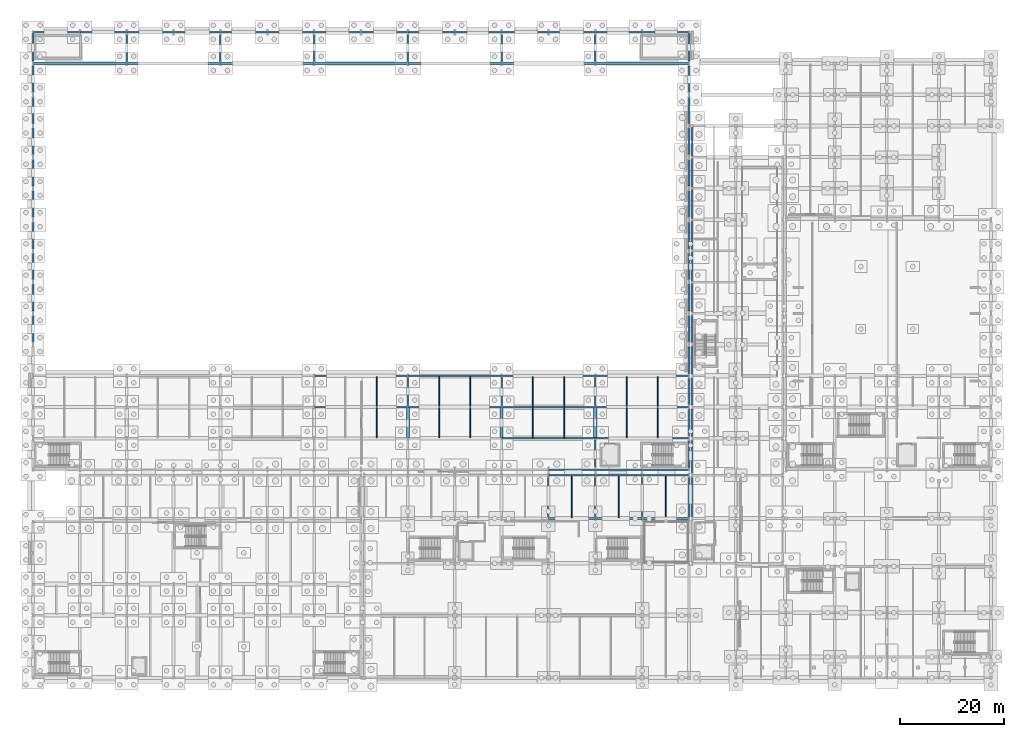
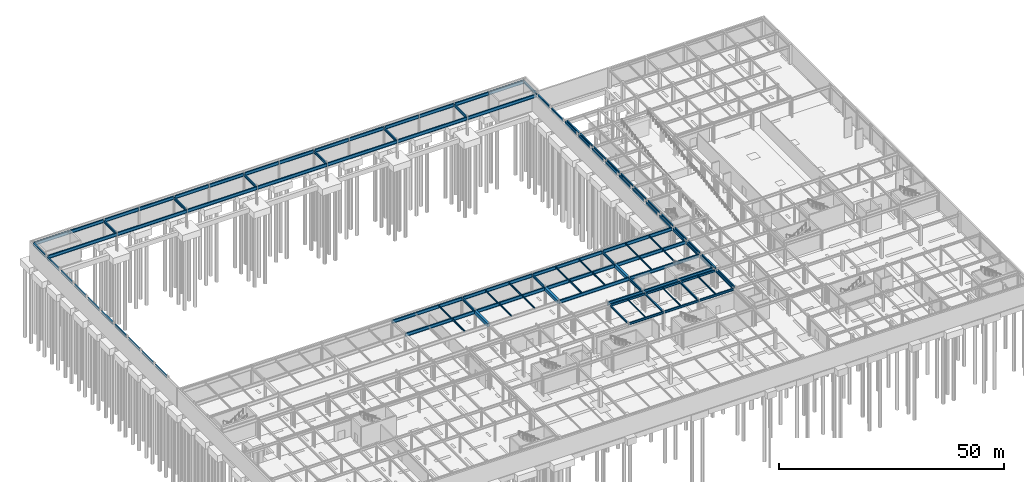
# One storey, part 36 of 65: 110 beams.
"""IFC4 building model written with IfcOpenShell, lengths in metres."""

from ifc_helpers import new_model, si_unit, direction, frame, origin, origin_2d, place, context, subcontext, project, spatial, rectangle, i_section, extrude, material, material_profile, profile_set, type_object, element, save


model = new_model("IFC4")

# Units and contexts
model_context = context("Model", 3, precision=1e-05, world=origin(), true_north=direction((0.0, 1.0)))
body_context = subcontext(model_context, "Body", "Model", "MODEL_VIEW")
ifc_project = project(units=[si_unit("LENGTHUNIT", "METRE"), si_unit("AREAUNIT", "SQUARE_METRE"), si_unit("VOLUMEUNIT", "CUBIC_METRE"), si_unit("PLANEANGLEUNIT", "RADIAN"), si_unit("MASSUNIT", "GRAM", prefix="KILO")], contexts=[model_context])

# Site, building, storey
site_placement = place(None, origin())
site = spatial("IfcSite", under=ifc_project, at=site_placement, CompositionType="ELEMENT")
building_placement = place(site_placement, origin())
building = spatial("IfcBuilding", under=site, at=building_placement, Name="Kaldris Quays Convention Centre", CompositionType="ELEMENT")
storey_placement = place(building_placement, frame((0.0, 0.0, -5.39990234375)))
storey = spatial("IfcBuildingStorey", under=building, at=storey_placement, Name="B1", CompositionType="ELEMENT", Elevation=-5.39990234375)

# Beams
ifc_material_1 = material(Name="Steel S355J2", Category="steel")
ifc_material_profile_1 = material_profile(ifc_material_1, i_section(OverallWidth=0.300048828125, OverallDepth=0.89990234375, WebThickness=0.0185546875, FlangeThickness=0.034912109375, FilletRadius=0.030029296875, at=origin_2d()), Name="HEB 900")
ifc_profile_set_1 = profile_set([ifc_material_profile_1], Name="Steel S355J2")
beam_type_1 = type_object("IfcBeamType", Name="STRUCTURAL BEAM BM02", PredefinedType="BEAM", material=ifc_profile_set_1)
beam_1_placement = place(storey_placement, frame((119.003173828125, 56.0, 4.5830078125), z_axis=(1.0, 0.0, 0.0), x_axis=(0.0, 1.0, 0.0)))
element("IfcBeam", 1, at=beam_1_placement, inside=storey, type_object=beam_type_1, Name="B1 Girder BM02 12", PredefinedType="BEAM", context=body_context, shape_type="SweptSolid", body=[
    extrude(i_section(OverallWidth=0.300048828125, OverallDepth=0.89990234375, WebThickness=0.0185546875, FlangeThickness=0.034912109375, FilletRadius=0.030029296875, at=origin_2d()), origin(), (0.0, 0.0, 1.0), 8.99365234375),
])
beam_2_placement = place(storey_placement, frame((128.00341796875, 56.0, 4.5830078125), z_axis=(1.0, 0.0, 0.0), x_axis=(0.0, 1.0, 0.0)))
element("IfcBeam", 2, at=beam_2_placement, inside=storey, type_object=beam_type_1, Name="B1 Girder BM02 13", PredefinedType="BEAM", context=body_context, shape_type="SweptSolid", body=[
    extrude(i_section(OverallWidth=0.300048828125, OverallDepth=0.89990234375, WebThickness=0.0185546875, FlangeThickness=0.034912109375, FilletRadius=0.030029296875, at=origin_2d()), origin(), (0.0, 0.0, 1.0), 8.9931640625),
])
beam_3_placement = place(storey_placement, frame((137.00341796875, 56.0, 4.5830078125), z_axis=(1.0, 0.0, 0.0), x_axis=(0.0, 1.0, 0.0)))
element("IfcBeam", 3, at=beam_3_placement, inside=storey, type_object=beam_type_1, Name="B1 Girder BM02 14", PredefinedType="BEAM", context=body_context, shape_type="SweptSolid", body=[
    extrude(i_section(OverallWidth=0.300048828125, OverallDepth=0.89990234375, WebThickness=0.0185546875, FlangeThickness=0.034912109375, FilletRadius=0.030029296875, at=origin_2d()), origin(), (0.0, 0.0, 1.0), 8.9921875),
])
beam_4_placement = place(storey_placement, frame((110.001708984375, 62.0, 4.5830078125), z_axis=(1.0, 0.0, 0.0), x_axis=(0.0, 1.0, 0.0)))
element("IfcBeam", 4, at=beam_4_placement, inside=storey, type_object=beam_type_1, Name="B1 Girder BM02 20", PredefinedType="BEAM", context=body_context, shape_type="SweptSolid", body=[
    extrude(i_section(OverallWidth=0.300048828125, OverallDepth=0.89990234375, WebThickness=0.0185546875, FlangeThickness=0.034912109375, FilletRadius=0.030029296875, at=origin_2d()), origin(), (0.0, 0.0, 1.0), 17.99658203125),
])
beam_5_placement = place(storey_placement, frame((128.001708984375, 62.0, 4.5830078125), z_axis=(1.0, 0.0, 0.0), x_axis=(0.0, 1.0, 0.0)))
element("IfcBeam", 5, at=beam_5_placement, inside=storey, type_object=beam_type_1, Name="B1 Girder BM02 21", PredefinedType="BEAM", context=body_context, shape_type="SweptSolid", body=[
    extrude(i_section(OverallWidth=0.300048828125, OverallDepth=0.89990234375, WebThickness=0.0185546875, FlangeThickness=0.034912109375, FilletRadius=0.030029296875, at=origin_2d()), origin(), (0.0, 0.0, 1.0), 17.994873046875),
])
for number, where, z_axis, x_axis, name in (
    (6, (74.001708984375, 68.0, 4.5830078125), (1.0, 0.0, 0.0), (0.0, 1.0, 0.0), "B1 Girder BM02 25"),
    (7, (92.001708984375, 68.0, 4.5830078125), (1.0, 0.0, 0.0), (0.0, 1.0, 0.0), "B1 Girder BM02 26"),
    (8, (110.001708984375, 68.0, 4.5830078125), (1.0, 0.0, 0.0), (0.0, 1.0, 0.0), "B1 Girder BM02 27"),
):
    element("IfcBeam", number, at=place(storey_placement, frame(where, z_axis=z_axis, x_axis=x_axis)), inside=storey, type_object=beam_type_1, Name=name, PredefinedType="BEAM", context=body_context, shape_type="SweptSolid", body=[
        extrude(i_section(OverallWidth=0.300048828125, OverallDepth=0.89990234375, WebThickness=0.0185546875, FlangeThickness=0.034912109375, FilletRadius=0.030029296875, at=origin_2d()), origin(), (0.0, 0.0, 1.0), 17.99658203125),
    ])
beam_6_placement = place(storey_placement, frame((128.001708984375, 68.0, 4.5830078125), z_axis=(1.0, 0.0, 0.0), x_axis=(0.0, 1.0, 0.0)))
element("IfcBeam", 9, at=beam_6_placement, inside=storey, type_object=beam_type_1, Name="B1 Girder BM02 28", PredefinedType="BEAM", context=body_context, shape_type="SweptSolid", body=[
    extrude(i_section(OverallWidth=0.300048828125, OverallDepth=0.89990234375, WebThickness=0.0185546875, FlangeThickness=0.034912109375, FilletRadius=0.030029296875, at=origin_2d()), origin(), (0.0, 0.0, 1.0), 17.994873046875),
])
for number, where, z_axis, x_axis, name in (
    (10, (74.001708984375, 74.0, 4.5078125), (1.0, 0.0, 0.0), (0.0, 1.0, 0.0), "B1 Girder BM02 32"),
    (11, (92.001708984375, 74.0, 4.5078125), (1.0, 0.0, 0.0), (0.0, 1.0, 0.0), "B1 Girder BM02 33"),
    (12, (110.001708984375, 74.0, 4.5078125), (1.0, 0.0, 0.0), (0.0, 1.0, 0.0), "B1 Girder BM02 34"),
):
    element("IfcBeam", number, at=place(storey_placement, frame(where, z_axis=z_axis, x_axis=x_axis)), inside=storey, type_object=beam_type_1, Name=name, PredefinedType="BEAM", context=body_context, shape_type="SweptSolid", body=[
        extrude(i_section(OverallWidth=0.300048828125, OverallDepth=0.89990234375, WebThickness=0.0185546875, FlangeThickness=0.034912109375, FilletRadius=0.030029296875, at=origin_2d()), origin(), (0.0, 0.0, 1.0), 17.99658203125),
    ])
for number, where, z_axis, x_axis, name in (
    (13, (128.001708984375, 74.0, 4.5830078125), (1.0, 0.0, 0.0), (0.0, 1.0, 0.0), "B1 Girder BM02 35"),
    (14, (20.00341796875, 134.0, 4.5078125), (1.0, 0.0, 0.0), (0.0, 1.0, 0.0), "B1 Girder BM02 36"),
):
    element("IfcBeam", number, at=place(storey_placement, frame(where, z_axis=z_axis, x_axis=x_axis)), inside=storey, type_object=beam_type_1, Name=name, PredefinedType="BEAM", context=body_context, shape_type="SweptSolid", body=[
        extrude(i_section(OverallWidth=0.300048828125, OverallDepth=0.89990234375, WebThickness=0.0185546875, FlangeThickness=0.034912109375, FilletRadius=0.030029296875, at=origin_2d()), origin(), (0.0, 0.0, 1.0), 17.994873046875),
    ])
for number, where, z_axis, x_axis, name in (
    (15, (38.001708984375, 134.0, 4.5078125), (1.0, 0.0, 0.0), (0.0, 1.0, 0.0), "B1 Girder BM02 37"),
    (16, (56.001708984375, 134.0, 4.5078125), (1.0, 0.0, 0.0), (0.0, 1.0, 0.0), "B1 Girder BM02 38"),
    (17, (74.001708984375, 134.0, 4.5078125), (1.0, 0.0, 0.0), (0.0, 1.0, 0.0), "B1 Girder BM02 39"),
    (18, (92.001708984375, 134.0, 4.5078125), (1.0, 0.0, 0.0), (0.0, 1.0, 0.0), "B1 Girder BM02 40"),
    (19, (110.001708984375, 134.0, 4.5078125), (1.0, 0.0, 0.0), (0.0, 1.0, 0.0), "B1 Girder BM02 41"),
):
    element("IfcBeam", number, at=place(storey_placement, frame(where, z_axis=z_axis, x_axis=x_axis)), inside=storey, type_object=beam_type_1, Name=name, PredefinedType="BEAM", context=body_context, shape_type="SweptSolid", body=[
        extrude(i_section(OverallWidth=0.300048828125, OverallDepth=0.89990234375, WebThickness=0.0185546875, FlangeThickness=0.034912109375, FilletRadius=0.030029296875, at=origin_2d()), origin(), (0.0, 0.0, 1.0), 17.99658203125),
    ])
beam_7_placement = place(storey_placement, frame((128.001708984375, 134.0, 4.5078125), z_axis=(1.0, 0.0, 0.0), x_axis=(0.0, 1.0, 0.0)))
element("IfcBeam", 20, at=beam_7_placement, inside=storey, type_object=beam_type_1, Name="B1 Girder BM02 42", PredefinedType="BEAM", context=body_context, shape_type="SweptSolid", body=[
    extrude(i_section(OverallWidth=0.300048828125, OverallDepth=0.89990234375, WebThickness=0.0185546875, FlangeThickness=0.034912109375, FilletRadius=0.030029296875, at=origin_2d()), origin(), (0.0, 0.0, 1.0), 17.994873046875),
])
beam_8_placement = place(storey_placement, frame((20.00439453125, 140.0, 4.5078125), z_axis=(1.0, 0.0, 0.0), x_axis=(0.0, 1.0, 0.0)))
element("IfcBeam", 21, at=beam_8_placement, inside=storey, type_object=beam_type_1, Name="B1 Girder BM02 43", PredefinedType="BEAM", context=body_context, shape_type="SweptSolid", body=[
    extrude(i_section(OverallWidth=0.300048828125, OverallDepth=0.89990234375, WebThickness=0.0185546875, FlangeThickness=0.034912109375, FilletRadius=0.030029296875, at=origin_2d()), origin(), (0.0, 0.0, 1.0), 8.9921875),
])
for number, where, z_axis, x_axis, name in (
    (22, (29.00341796875, 140.0, 4.5078125), (1.0, 0.0, 0.0), (0.0, 1.0, 0.0), "B1 Girder BM02 44"),
    (23, (38.00341796875, 140.0, 4.5078125), (1.0, 0.0, 0.0), (0.0, 1.0, 0.0), "B1 Girder BM02 45"),
    (24, (47.00341796875, 140.0, 4.5078125), (1.0, 0.0, 0.0), (0.0, 1.0, 0.0), "B1 Girder BM02 46"),
):
    element("IfcBeam", number, at=place(storey_placement, frame(where, z_axis=z_axis, x_axis=x_axis)), inside=storey, type_object=beam_type_1, Name=name, PredefinedType="BEAM", context=body_context, shape_type="SweptSolid", body=[
        extrude(i_section(OverallWidth=0.300048828125, OverallDepth=0.89990234375, WebThickness=0.0185546875, FlangeThickness=0.034912109375, FilletRadius=0.030029296875, at=origin_2d()), origin(), (0.0, 0.0, 1.0), 8.9931640625),
    ])
beam_9_placement = place(storey_placement, frame((56.00341796875, 140.0, 4.5078125), z_axis=(1.0, 0.0, 0.0), x_axis=(0.0, 1.0, 0.0)))
element("IfcBeam", 25, at=beam_9_placement, inside=storey, type_object=beam_type_1, Name="B1 Girder BM02 47", PredefinedType="BEAM", context=body_context, shape_type="SweptSolid", body=[
    extrude(i_section(OverallWidth=0.300048828125, OverallDepth=0.89990234375, WebThickness=0.0185546875, FlangeThickness=0.034912109375, FilletRadius=0.030029296875, at=origin_2d()), origin(), (0.0, 0.0, 1.0), 8.993408203125),
])
for number, where, z_axis, x_axis, name in (
    (26, (65.003173828125, 140.0, 4.5078125), (1.0, 0.0, 0.0), (0.0, 1.0, 0.0), "B1 Girder BM02 48"),
    (27, (74.003173828125, 140.0, 4.5078125), (1.0, 0.0, 0.0), (0.0, 1.0, 0.0), "B1 Girder BM02 49"),
    (28, (83.003173828125, 140.0, 4.5078125), (1.0, 0.0, 0.0), (0.0, 1.0, 0.0), "B1 Girder BM02 50"),
    (29, (92.003173828125, 140.0, 4.5078125), (1.0, 0.0, 0.0), (0.0, 1.0, 0.0), "B1 Girder BM02 51"),
    (30, (101.003173828125, 140.0, 4.5078125), (1.0, 0.0, 0.0), (0.0, 1.0, 0.0), "B1 Girder BM02 52"),
    (31, (110.003173828125, 140.0, 4.5078125), (1.0, 0.0, 0.0), (0.0, 1.0, 0.0), "B1 Girder BM02 53"),
    (32, (119.003173828125, 140.0, 4.5078125), (1.0, 0.0, 0.0), (0.0, 1.0, 0.0), "B1 Girder BM02 54"),
):
    element("IfcBeam", number, at=place(storey_placement, frame(where, z_axis=z_axis, x_axis=x_axis)), inside=storey, type_object=beam_type_1, Name=name, PredefinedType="BEAM", context=body_context, shape_type="SweptSolid", body=[
        extrude(i_section(OverallWidth=0.300048828125, OverallDepth=0.89990234375, WebThickness=0.0185546875, FlangeThickness=0.034912109375, FilletRadius=0.030029296875, at=origin_2d()), origin(), (0.0, 0.0, 1.0), 8.99365234375),
    ])
beam_10_placement = place(storey_placement, frame((128.00341796875, 140.0, 4.5078125), z_axis=(1.0, 0.0, 0.0), x_axis=(0.0, 1.0, 0.0)))
element("IfcBeam", 33, at=beam_10_placement, inside=storey, type_object=beam_type_1, Name="B1 Girder BM02 55", PredefinedType="BEAM", context=body_context, shape_type="SweptSolid", body=[
    extrude(i_section(OverallWidth=0.300048828125, OverallDepth=0.89990234375, WebThickness=0.0185546875, FlangeThickness=0.034912109375, FilletRadius=0.030029296875, at=origin_2d()), origin(), (0.0, 0.0, 1.0), 8.9931640625),
])
beam_11_placement = place(storey_placement, frame((137.00341796875, 140.0, 4.5078125), z_axis=(1.0, 0.0, 0.0), x_axis=(0.0, 1.0, 0.0)))
element("IfcBeam", 34, at=beam_11_placement, inside=storey, type_object=beam_type_1, Name="B1 Girder BM02 56", PredefinedType="BEAM", context=body_context, shape_type="SweptSolid", body=[
    extrude(i_section(OverallWidth=0.300048828125, OverallDepth=0.89990234375, WebThickness=0.0185546875, FlangeThickness=0.034912109375, FilletRadius=0.030029296875, at=origin_2d()), origin(), (0.0, 0.0, 1.0), 8.9921875),
])
ifc_material_profile_2 = material_profile(ifc_material_1, i_section(OverallWidth=0.300048828125, OverallDepth=0.699951171875, WebThickness=0.01708984375, FlangeThickness=0.031982421875, FilletRadius=0.027099609375, at=origin_2d()), Name="HEB 700")
ifc_profile_set_2 = profile_set([ifc_material_profile_2], Name="Steel S355J2")
beam_type_2 = type_object("IfcBeamType", Name="STRUCTURAL BEAM BM04", PredefinedType="BEAM", material=ifc_profile_set_2)
for number, where, z_axis, x_axis, name in (
    (35, (20.0, 80.444091796875, 4.60791015625), (0.0, 1.0, 0.0), (-1.0, 0.0, 0.0), "B1 Girder BM04 61"),
    (36, (20.0, 86.444091796875, 4.60791015625), (0.0, 1.0, 0.0), (-1.0, 0.0, 0.0), "B1 Girder BM04 62"),
    (37, (20.0, 92.444091796875, 4.60791015625), (0.0, 1.0, 0.0), (-1.0, 0.0, 0.0), "B1 Girder BM04 63"),
    (38, (20.0, 98.444091796875, 4.60791015625), (0.0, 1.0, 0.0), (-1.0, 0.0, 0.0), "B1 Girder BM04 64"),
    (39, (20.0, 104.444091796875, 4.60791015625), (0.0, 1.0, 0.0), (-1.0, 0.0, 0.0), "B1 Girder BM04 65"),
    (40, (20.0, 110.444091796875, 4.60791015625), (0.0, 1.0, 0.0), (-1.0, 0.0, 0.0), "B1 Girder BM04 66"),
    (41, (20.0, 116.444091796875, 4.60791015625), (0.0, 1.0, 0.0), (-1.0, 0.0, 0.0), "B1 Girder BM04 67"),
    (42, (20.0, 122.444091796875, 4.60791015625), (0.0, 1.0, 0.0), (-1.0, 0.0, 0.0), "B1 Girder BM04 68"),
    (43, (20.0, 128.444091796875, 4.60791015625), (0.0, 1.0, 0.0), (-1.0, 0.0, 0.0), "B1 Girder BM04 69"),
):
    element("IfcBeam", number, at=place(storey_placement, frame(where, z_axis=z_axis, x_axis=x_axis)), inside=storey, type_object=beam_type_2, Name=name, PredefinedType="BEAM", context=body_context, shape_type="SweptSolid", body=[
        extrude(i_section(OverallWidth=0.300048828125, OverallDepth=0.699951171875, WebThickness=0.01708984375, FlangeThickness=0.031982421875, FilletRadius=0.027099609375, at=origin_2d()), origin(), (0.0, 0.0, 1.0), 5.11181640625),
    ])
beam_12_placement = place(storey_placement, frame((20.0, 134.444091796875, 4.60791015625), z_axis=(0.0, 1.0, 0.0), x_axis=(-1.0, 0.0, 0.0)))
element("IfcBeam", 44, at=beam_12_placement, inside=storey, type_object=beam_type_2, Name="B1 Girder BM04 70", PredefinedType="BEAM", context=body_context, shape_type="SweptSolid", body=[
    extrude(i_section(OverallWidth=0.300048828125, OverallDepth=0.699951171875, WebThickness=0.01708984375, FlangeThickness=0.031982421875, FilletRadius=0.027099609375, at=origin_2d()), origin(), (0.0, 0.0, 1.0), 5.345947265625),
])
for number, where, z_axis, x_axis, name in (
    (45, (38.0, 134.2939453125, 4.60791015625), (0.0, 1.0, 0.0), (-1.0, 0.0, 0.0), "B1 Girder BM04 73"),
    (46, (56.0, 134.2939453125, 4.60791015625), (0.0, 1.0, 0.0), (-1.0, 0.0, 0.0), "B1 Girder BM04 76"),
    (47, (74.0, 134.2939453125, 4.60791015625), (0.0, 1.0, 0.0), (-1.0, 0.0, 0.0), "B1 Girder BM04 79"),
):
    element("IfcBeam", number, at=place(storey_placement, frame(where, z_axis=z_axis, x_axis=x_axis)), inside=storey, type_object=beam_type_2, Name=name, PredefinedType="BEAM", context=body_context, shape_type="SweptSolid", body=[
        extrude(i_section(OverallWidth=0.300048828125, OverallDepth=0.699951171875, WebThickness=0.01708984375, FlangeThickness=0.031982421875, FilletRadius=0.027099609375, at=origin_2d()), origin(), (0.0, 0.0, 1.0), 5.261962890625),
    ])
beam_13_placement = place(storey_placement, frame((92.0, 68.2939453125, 4.682861328125), z_axis=(0.0, 1.0, 0.0), x_axis=(-1.0, 0.0, 0.0)))
element("IfcBeam", 48, at=beam_13_placement, inside=storey, type_object=beam_type_2, Name="B1 Girder BM04 81", PredefinedType="BEAM", context=body_context, shape_type="SweptSolid", body=[
    extrude(i_section(OverallWidth=0.300048828125, OverallDepth=0.699951171875, WebThickness=0.01708984375, FlangeThickness=0.031982421875, FilletRadius=0.027099609375, at=origin_2d()), origin(), (0.0, 0.0, 1.0), 5.412109375),
])
beam_14_placement = place(storey_placement, frame((92.0, 134.2939453125, 4.60791015625), z_axis=(0.0, 1.0, 0.0), x_axis=(-1.0, 0.0, 0.0)))
element("IfcBeam", 49, at=beam_14_placement, inside=storey, type_object=beam_type_2, Name="B1 Girder BM04 82", PredefinedType="BEAM", context=body_context, shape_type="SweptSolid", body=[
    extrude(i_section(OverallWidth=0.300048828125, OverallDepth=0.699951171875, WebThickness=0.01708984375, FlangeThickness=0.031982421875, FilletRadius=0.027099609375, at=origin_2d()), origin(), (0.0, 0.0, 1.0), 5.261962890625),
])
beam_15_placement = place(storey_placement, frame((110.0, 68.2939453125, 4.682861328125), z_axis=(0.0, 1.0, 0.0), x_axis=(-1.0, 0.0, 0.0)))
element("IfcBeam", 50, at=beam_15_placement, inside=storey, type_object=beam_type_2, Name="B1 Girder BM04 84", PredefinedType="BEAM", context=body_context, shape_type="SweptSolid", body=[
    extrude(i_section(OverallWidth=0.300048828125, OverallDepth=0.699951171875, WebThickness=0.01708984375, FlangeThickness=0.031982421875, FilletRadius=0.027099609375, at=origin_2d()), origin(), (0.0, 0.0, 1.0), 5.412109375),
])
for number, where, z_axis, x_axis, name in (
    (51, (110.0, 134.2939453125, 4.60791015625), (0.0, 1.0, 0.0), (-1.0, 0.0, 0.0), "B1 Girder BM04 85"),
    (52, (128.0, 56.444091796875, 4.682861328125), (0.0, 1.0, 0.0), (-1.0, 0.0, 0.0), "B1 Girder BM04 86"),
):
    element("IfcBeam", number, at=place(storey_placement, frame(where, z_axis=z_axis, x_axis=x_axis)), inside=storey, type_object=beam_type_2, Name=name, PredefinedType="BEAM", context=body_context, shape_type="SweptSolid", body=[
        extrude(i_section(OverallWidth=0.300048828125, OverallDepth=0.699951171875, WebThickness=0.01708984375, FlangeThickness=0.031982421875, FilletRadius=0.027099609375, at=origin_2d()), origin(), (0.0, 0.0, 1.0), 5.261962890625),
    ])
beam_16_placement = place(storey_placement, frame((128.0, 68.2939453125, 4.682861328125), z_axis=(0.0, 1.0, 0.0), x_axis=(-1.0, 0.0, 0.0)))
element("IfcBeam", 53, at=beam_16_placement, inside=storey, type_object=beam_type_2, Name="B1 Girder BM04 87", PredefinedType="BEAM", context=body_context, shape_type="SweptSolid", body=[
    extrude(i_section(OverallWidth=0.300048828125, OverallDepth=0.699951171875, WebThickness=0.01708984375, FlangeThickness=0.031982421875, FilletRadius=0.027099609375, at=origin_2d()), origin(), (0.0, 0.0, 1.0), 5.412109375),
])
beam_17_placement = place(storey_placement, frame((128.0, 134.2939453125, 4.60791015625), z_axis=(0.0, 1.0, 0.0), x_axis=(-1.0, 0.0, 0.0)))
element("IfcBeam", 54, at=beam_17_placement, inside=storey, type_object=beam_type_2, Name="B1 Girder BM04 88", PredefinedType="BEAM", context=body_context, shape_type="SweptSolid", body=[
    extrude(i_section(OverallWidth=0.300048828125, OverallDepth=0.699951171875, WebThickness=0.01708984375, FlangeThickness=0.031982421875, FilletRadius=0.027099609375, at=origin_2d()), origin(), (0.0, 0.0, 1.0), 5.261962890625),
])
beam_18_placement = place(storey_placement, frame((146.0, 56.2099609375, 4.682861328125), z_axis=(0.0, 1.0, 0.0), x_axis=(-1.0, 0.0, 0.0)))
element("IfcBeam", 55, at=beam_18_placement, inside=storey, type_object=beam_type_2, Name="B1 Girder BM04 89", PredefinedType="BEAM", context=body_context, shape_type="SweptSolid", body=[
    extrude(i_section(OverallWidth=0.300048828125, OverallDepth=0.699951171875, WebThickness=0.01708984375, FlangeThickness=0.031982421875, FilletRadius=0.027099609375, at=origin_2d()), origin(), (0.0, 0.0, 1.0), 5.345947265625),
])
for number, where, z_axis, x_axis, name in (
    (56, (146.0, 62.444091796875, 4.682861328125), (0.0, 1.0, 0.0), (-1.0, 0.0, 0.0), "B1 Girder BM04 90"),
    (57, (146.0, 68.444091796875, 4.682861328125), (0.0, 1.0, 0.0), (-1.0, 0.0, 0.0), "B1 Girder BM04 91"),
    (58, (146.0, 74.444091796875, 4.60791015625), (0.0, 1.0, 0.0), (-1.0, 0.0, 0.0), "B1 Girder BM04 92"),
    (59, (146.0, 80.444091796875, 4.60791015625), (0.0, 1.0, 0.0), (-1.0, 0.0, 0.0), "B1 Girder BM04 93"),
    (60, (146.0, 86.444091796875, 4.60791015625), (0.0, 1.0, 0.0), (-1.0, 0.0, 0.0), "B1 Girder BM04 94"),
    (61, (146.0, 92.444091796875, 4.60791015625), (0.0, 1.0, 0.0), (-1.0, 0.0, 0.0), "B1 Girder BM04 95"),
    (62, (146.0, 98.444091796875, 4.60791015625), (0.0, 1.0, 0.0), (-1.0, 0.0, 0.0), "B1 Girder BM04 96"),
    (63, (146.0, 104.444091796875, 4.60791015625), (0.0, 1.0, 0.0), (-1.0, 0.0, 0.0), "B1 Girder BM04 97"),
    (64, (146.0, 110.444091796875, 4.60791015625), (0.0, 1.0, 0.0), (-1.0, 0.0, 0.0), "B1 Girder BM04 98"),
    (65, (146.0, 116.444091796875, 4.60791015625), (0.0, 1.0, 0.0), (-1.0, 0.0, 0.0), "B1 Girder BM04 99"),
    (66, (146.0, 122.444091796875, 4.60791015625), (0.0, 1.0, 0.0), (-1.0, 0.0, 0.0), "B1 Girder BM04 100"),
    (67, (146.0, 128.444091796875, 4.60791015625), (0.0, 1.0, 0.0), (-1.0, 0.0, 0.0), "B1 Girder BM04 101"),
):
    element("IfcBeam", number, at=place(storey_placement, frame(where, z_axis=z_axis, x_axis=x_axis)), inside=storey, type_object=beam_type_2, Name=name, PredefinedType="BEAM", context=body_context, shape_type="SweptSolid", body=[
        extrude(i_section(OverallWidth=0.300048828125, OverallDepth=0.699951171875, WebThickness=0.01708984375, FlangeThickness=0.031982421875, FilletRadius=0.027099609375, at=origin_2d()), origin(), (0.0, 0.0, 1.0), 5.11181640625),
    ])
beam_19_placement = place(storey_placement, frame((146.0, 134.444091796875, 4.60791015625), z_axis=(0.0, 1.0, 0.0), x_axis=(-1.0, 0.0, 0.0)))
element("IfcBeam", 68, at=beam_19_placement, inside=storey, type_object=beam_type_2, Name="B1 Girder BM04 102", PredefinedType="BEAM", context=body_context, shape_type="SweptSolid", body=[
    extrude(i_section(OverallWidth=0.300048828125, OverallDepth=0.699951171875, WebThickness=0.01708984375, FlangeThickness=0.031982421875, FilletRadius=0.027099609375, at=origin_2d()), origin(), (0.0, 0.0, 1.0), 5.345947265625),
])
ifc_material_profile_3 = material_profile(ifc_material_1, i_section(OverallWidth=0.300048828125, OverallDepth=0.60009765625, WebThickness=0.015380859375, FlangeThickness=0.030029296875, FilletRadius=0.027099609375, at=origin_2d()), Name="HEB 600")
ifc_profile_set_3 = profile_set([ifc_material_profile_3], Name="Steel S355J2")
beam_type_3 = type_object("IfcBeamType", Name="STRUCTURAL BEAM BM05", PredefinedType="BEAM", material=ifc_profile_set_3)
for number, where, z_axis, x_axis, name in (
    (69, (119.00244140625, 46.60009765625, 4.802978515625), (1.0, 0.0, 0.0), (0.0, 1.0, 0.0), "B1 Girder BM05 28"),
    (70, (128.00244140625, 46.60009765625, 4.802978515625), (1.0, 0.0, 0.0), (0.0, 1.0, 0.0), "B1 Girder BM05 29"),
    (71, (137.00244140625, 46.60009765625, 4.802978515625), (1.0, 0.0, 0.0), (0.0, 1.0, 0.0), "B1 Girder BM05 30"),
    (72, (119.00244140625, 54.89990234375, 4.802978515625), (1.0, 0.0, 0.0), (0.0, 1.0, 0.0), "B1 Girder BM05 47"),
    (73, (128.00244140625, 54.89990234375, 4.802978515625), (1.0, 0.0, 0.0), (0.0, 1.0, 0.0), "B1 Girder BM05 48"),
    (74, (137.00244140625, 54.89990234375, 4.802978515625), (1.0, 0.0, 0.0), (0.0, 1.0, 0.0), "B1 Girder BM05 49"),
):
    element("IfcBeam", number, at=place(storey_placement, frame(where, z_axis=z_axis, x_axis=x_axis)), inside=storey, type_object=beam_type_3, Name=name, PredefinedType="BEAM", context=body_context, shape_type="SweptSolid", body=[
        extrude(i_section(OverallWidth=0.300048828125, OverallDepth=0.60009765625, WebThickness=0.015380859375, FlangeThickness=0.030029296875, FilletRadius=0.027099609375, at=origin_2d()), origin(), (0.0, 0.0, 1.0), 8.9951171875),
    ])
ifc_material_profile_4 = material_profile(ifc_material_1, i_section(OverallWidth=0.300048828125, OverallDepth=0.449951171875, WebThickness=0.013916015625, FlangeThickness=0.02587890625, FilletRadius=0.027099609375, at=origin_2d()), Name="HEB 450")
ifc_profile_set_4 = profile_set([ifc_material_profile_4], Name="Steel S355J2")
beam_type_4 = type_object("IfcBeamType", Name="STRUCTURAL BEAM BM07", PredefinedType="BEAM", material=ifc_profile_set_4)
for number, where, z_axis, x_axis, name in (
    (75, (119.0, 46.944091796875, 4.8779296875), (0.0, 1.0, 0.0), (-1.0, 0.0, 0.0), "B1 Girder BM07 105"),
    (76, (128.0, 46.944091796875, 4.8779296875), (0.0, 1.0, 0.0), (-1.0, 0.0, 0.0), "B1 Girder BM07 106"),
    (77, (137.0, 46.944091796875, 4.8779296875), (0.0, 1.0, 0.0), (-1.0, 0.0, 0.0), "B1 Girder BM07 109"),
    (78, (146.0, 46.944091796875, 4.8779296875), (0.0, 1.0, 0.0), (-1.0, 0.0, 0.0), "B1 Girder BM07 113"),
    (79, (146.60009765625, 46.944091796875, 4.8779296875), (0.0, 1.0, 0.0), (-1.0, 0.0, 0.0), "B1 Girder BM07 115"),
):
    element("IfcBeam", number, at=place(storey_placement, frame(where, z_axis=z_axis, x_axis=x_axis)), inside=storey, type_object=beam_type_4, Name=name, PredefinedType="BEAM", context=body_context, shape_type="SweptSolid", body=[
        extrude(i_section(OverallWidth=0.300048828125, OverallDepth=0.449951171875, WebThickness=0.013916015625, FlangeThickness=0.02587890625, FilletRadius=0.027099609375, at=origin_2d()), origin(), (0.0, 0.0, 1.0), 7.61181640625),
    ])
beam_20_placement = place(storey_placement, frame((146.60009765625, 55.243896484375, 4.807861328125), z_axis=(0.0, 1.0, 0.0), x_axis=(-1.0, 0.0, 0.0)))
element("IfcBeam", 80, at=beam_20_placement, inside=storey, type_object=beam_type_4, Name="B1 Girder BM07 116", PredefinedType="BEAM", context=body_context, shape_type="SweptSolid", body=[
    extrude(i_section(OverallWidth=0.300048828125, OverallDepth=0.449951171875, WebThickness=0.013916015625, FlangeThickness=0.02587890625, FilletRadius=0.027099609375, at=origin_2d()), origin(), (0.0, 0.0, 1.0), 6.412109375),
])
for number, where, z_axis, x_axis, name in (
    (81, (146.60009765625, 62.343994140625, 4.807861328125), (0.0, 1.0, 0.0), (-1.0, 0.0, 0.0), "B1 Girder BM07 117"),
    (82, (146.60009765625, 68.343994140625, 4.807861328125), (0.0, 1.0, 0.0), (-1.0, 0.0, 0.0), "B1 Girder BM07 118"),
    (83, (146.60009765625, 74.343994140625, 4.807861328125), (0.0, 1.0, 0.0), (-1.0, 0.0, 0.0), "B1 Girder BM07 119"),
    (84, (146.60009765625, 80.343994140625, 4.8779296875), (0.0, 1.0, 0.0), (-1.0, 0.0, 0.0), "B1 Girder BM07 120"),
):
    element("IfcBeam", number, at=place(storey_placement, frame(where, z_axis=z_axis, x_axis=x_axis)), inside=storey, type_object=beam_type_4, Name=name, PredefinedType="BEAM", context=body_context, shape_type="SweptSolid", body=[
        extrude(i_section(OverallWidth=0.300048828125, OverallDepth=0.449951171875, WebThickness=0.013916015625, FlangeThickness=0.02587890625, FilletRadius=0.027099609375, at=origin_2d()), origin(), (0.0, 0.0, 1.0), 5.31201171875),
    ])
beam_21_placement = place(storey_placement, frame((146.60009765625, 86.343994140625, 4.8779296875), z_axis=(0.0, 1.0, 0.0), x_axis=(-1.0, 0.0, 0.0)))
element("IfcBeam", 85, at=beam_21_placement, inside=storey, type_object=beam_type_4, Name="B1 Girder BM07 121", PredefinedType="BEAM", context=body_context, shape_type="SweptSolid", body=[
    extrude(i_section(OverallWidth=0.300048828125, OverallDepth=0.449951171875, WebThickness=0.013916015625, FlangeThickness=0.02587890625, FilletRadius=0.027099609375, at=origin_2d()), origin(), (0.0, 0.0, 1.0), 5.4619140625),
])
for number, where, z_axis, x_axis, name in (
    (86, (146.60009765625, 92.194091796875, 4.8779296875), (0.0, 1.0, 0.0), (-1.0, 0.0, 0.0), "B1 Girder BM07 122"),
    (87, (146.60009765625, 98.194091796875, 4.8779296875), (0.0, 1.0, 0.0), (-1.0, 0.0, 0.0), "B1 Girder BM07 123"),
    (88, (146.60009765625, 104.194091796875, 4.822998046875), (0.0, 1.0, 0.0), (-1.0, 0.0, 0.0), "B1 Girder BM07 124"),
    (89, (146.60009765625, 110.194091796875, 4.77294921875), (0.0, 1.0, 0.0), (-1.0, 0.0, 0.0), "B1 Girder BM07 125"),
):
    element("IfcBeam", number, at=place(storey_placement, frame(where, z_axis=z_axis, x_axis=x_axis)), inside=storey, type_object=beam_type_4, Name=name, PredefinedType="BEAM", context=body_context, shape_type="SweptSolid", body=[
        extrude(i_section(OverallWidth=0.300048828125, OverallDepth=0.449951171875, WebThickness=0.013916015625, FlangeThickness=0.02587890625, FilletRadius=0.027099609375, at=origin_2d()), origin(), (0.0, 0.0, 1.0), 5.61181640625),
    ])
beam_22_placement = place(storey_placement, frame((146.60009765625, 116.194091796875, 4.77294921875), z_axis=(0.0, 1.0, 0.0), x_axis=(-1.0, 0.0, 0.0)))
element("IfcBeam", 90, at=beam_22_placement, inside=storey, type_object=beam_type_4, Name="B1 Girder BM07 126", PredefinedType="BEAM", context=body_context, shape_type="SweptSolid", body=[
    extrude(i_section(OverallWidth=0.300048828125, OverallDepth=0.449951171875, WebThickness=0.013916015625, FlangeThickness=0.02587890625, FilletRadius=0.027099609375, at=origin_2d()), origin(), (0.0, 0.0, 1.0), 5.511962890625),
])
ifc_material_profile_5 = material_profile(ifc_material_1, i_section(OverallWidth=0.18994140625, OverallDepth=0.449951171875, WebThickness=0.009521484375, FlangeThickness=0.0146484375, FilletRadius=0.02099609375, at=origin_2d()), Name="IPE 450")
ifc_profile_set_5 = profile_set([ifc_material_profile_5], Name="Steel S355J2")
beam_type_5 = type_object("IfcBeamType", Name="STRUCTURAL BEAM JT01", PredefinedType="JOIST", material=ifc_profile_set_5)
for number, where, z_axis, x_axis, name in (
    (91, (86.0, 62.14404296875, 4.807861328125), (0.0, 1.0, 0.0), (-1.0, 0.0, 0.0), "B1 Secondary Joist JT01 8"),
    (92, (98.0, 62.14404296875, 4.807861328125), (0.0, 1.0, 0.0), (-1.0, 0.0, 0.0), "B1 Secondary Joist JT01 9"),
    (93, (104.0, 62.14404296875, 4.807861328125), (0.0, 1.0, 0.0), (-1.0, 0.0, 0.0), "B1 Secondary Joist JT01 10"),
    (94, (116.0, 62.14404296875, 4.807861328125), (0.0, 1.0, 0.0), (-1.0, 0.0, 0.0), "B1 Secondary Joist JT01 11"),
    (95, (122.0, 62.14404296875, 4.807861328125), (0.0, 1.0, 0.0), (-1.0, 0.0, 0.0), "B1 Secondary Joist JT01 12"),
    (96, (134.0, 62.14404296875, 4.807861328125), (0.0, 1.0, 0.0), (-1.0, 0.0, 0.0), "B1 Secondary Joist JT01 13"),
    (97, (140.0, 62.14404296875, 4.807861328125), (0.0, 1.0, 0.0), (-1.0, 0.0, 0.0), "B1 Secondary Joist JT01 14"),
    (98, (86.0, 68.14404296875, 4.73291015625), (0.0, 1.0, 0.0), (-1.0, 0.0, 0.0), "B1 Secondary Joist JT01 22"),
    (99, (98.0, 68.14404296875, 4.73291015625), (0.0, 1.0, 0.0), (-1.0, 0.0, 0.0), "B1 Secondary Joist JT01 23"),
    (100, (104.0, 68.14404296875, 4.73291015625), (0.0, 1.0, 0.0), (-1.0, 0.0, 0.0), "B1 Secondary Joist JT01 24"),
    (101, (116.0, 68.14404296875, 4.73291015625), (0.0, 1.0, 0.0), (-1.0, 0.0, 0.0), "B1 Secondary Joist JT01 25"),
    (102, (122.0, 68.14404296875, 4.73291015625), (0.0, 1.0, 0.0), (-1.0, 0.0, 0.0), "B1 Secondary Joist JT01 26"),
    (103, (134.0, 68.14404296875, 4.807861328125), (0.0, 1.0, 0.0), (-1.0, 0.0, 0.0), "B1 Secondary Joist JT01 27"),
    (104, (140.0, 68.14404296875, 4.807861328125), (0.0, 1.0, 0.0), (-1.0, 0.0, 0.0), "B1 Secondary Joist JT01 28"),
):
    element("IfcBeam", number, at=place(storey_placement, frame(where, z_axis=z_axis, x_axis=x_axis)), inside=storey, type_object=beam_type_5, Name=name, PredefinedType="JOIST", context=body_context, shape_type="SweptSolid", body=[
        extrude(i_section(OverallWidth=0.18994140625, OverallDepth=0.449951171875, WebThickness=0.009521484375, FlangeThickness=0.0146484375, FilletRadius=0.02099609375, at=origin_2d()), origin(), (0.0, 0.0, 1.0), 5.7119140625),
    ])
ifc_material_profile_6 = material_profile(ifc_material_1, i_section(OverallWidth=0.169921875, OverallDepth=0.360107421875, WebThickness=0.008056640625, FlangeThickness=0.0126953125, FilletRadius=0.01806640625, at=origin_2d()), Name="IPE 360")
ifc_profile_set_6 = profile_set([ifc_material_profile_6], Name="Steel S355J2")
beam_type_6 = type_object("IfcBeamType", Name="STRUCTURAL BEAM JT03", PredefinedType="JOIST", material=ifc_profile_set_6)
for number, where, z_axis, x_axis, name in (
    (105, (123.5, 46.743896484375, 4.9228515625), (0.0, 1.0, 0.0), (-1.0, 0.0, 0.0), "B1 Secondary Joist JT03 21"),
    (106, (132.5, 46.743896484375, 4.9228515625), (0.0, 1.0, 0.0), (-1.0, 0.0, 0.0), "B1 Secondary Joist JT03 22"),
    (107, (141.5, 46.743896484375, 4.9228515625), (0.0, 1.0, 0.0), (-1.0, 0.0, 0.0), "B1 Secondary Joist JT03 23"),
):
    element("IfcBeam", number, at=place(storey_placement, frame(where, z_axis=z_axis, x_axis=x_axis)), inside=storey, type_object=beam_type_6, Name=name, PredefinedType="JOIST", context=body_context, shape_type="SweptSolid", body=[
        extrude(i_section(OverallWidth=0.169921875, OverallDepth=0.360107421875, WebThickness=0.008056640625, FlangeThickness=0.0126953125, FilletRadius=0.01806640625, at=origin_2d()), origin(), (0.0, 0.0, 1.0), 8.01220703125),
    ])
ifc_material_2 = material(Name="Concrete C35/45", Category="concrete")
ifc_material_profile_7 = material_profile(ifc_material_2, rectangle(XDim=0.60009765625, YDim=0.89990234375, at=origin_2d()), Name="RC 600x900")
ifc_profile_set_7 = profile_set([ifc_material_profile_7], Name="Concrete C35/45")
beam_type_7 = type_object("IfcBeamType", Name="STRUCTURAL BEAM TB02", PredefinedType="T_BEAM", material=ifc_profile_set_7)
for number, where, z_axis, x_axis, name in (
    (108, (92.0, 62.139892578125, 4.5830078125), (0.0, 1.0, 0.0), (-1.0, 0.0, 0.0), "B1 Ceiling RC T-Beam TB02 4"),
    (109, (110.0, 62.139892578125, 4.5830078125), (0.0, 1.0, 0.0), (-1.0, 0.0, 0.0), "B1 Ceiling RC T-Beam TB02 5"),
    (110, (128.0, 62.139892578125, 4.5830078125), (0.0, 1.0, 0.0), (-1.0, 0.0, 0.0), "B1 Ceiling RC T-Beam TB02 6"),
):
    element("IfcBeam", number, at=place(storey_placement, frame(where, z_axis=z_axis, x_axis=x_axis)), inside=storey, type_object=beam_type_7, Name=name, PredefinedType="T_BEAM", context=body_context, shape_type="SweptSolid", body=[
        extrude(rectangle(XDim=0.60009765625, YDim=0.89990234375, at=origin_2d()), origin(), (0.0, 0.0, 1.0), 5.72021484375),
    ])

save(model, "model.ifc")
